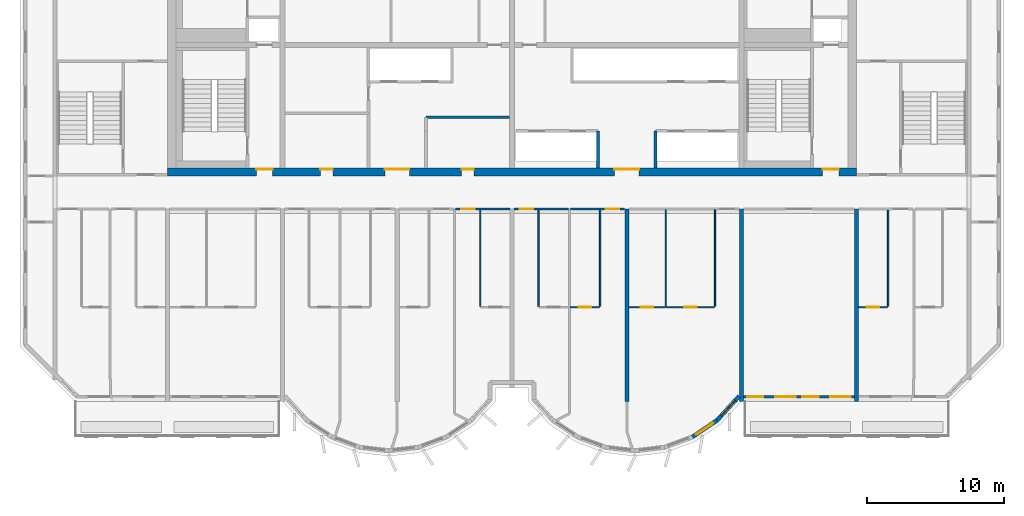
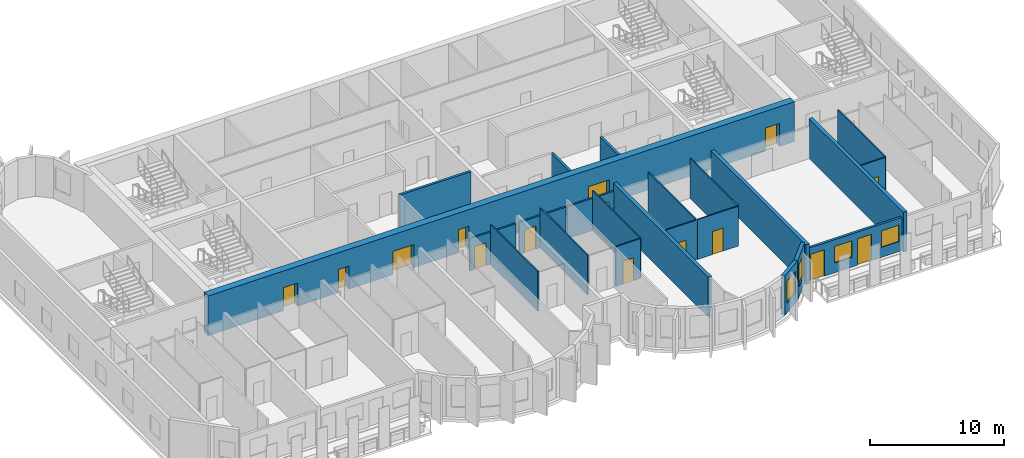
# One storey, part 5 of 11: 23 walls, 15 doors, 4 windows, 19 openings.
"""IFC4 building model written with IfcOpenShell, lengths in metres."""

from ifc_helpers import new_model, si_unit, direction, frame, frame_2d, origin, place, context, subcontext, project, spatial, rectangle, extrude, source, transform, mapped, material, layer, layer_set, type_object, element, fill, save


model = new_model("IFC4")

# Units and contexts
model_context = context("Model", 3, precision=1e-05, world=origin(), true_north=direction((0.0, 1.0)))
body_context = subcontext(model_context, "Body", "Model", "MODEL_VIEW")
ifc_project = project(units=[si_unit("LENGTHUNIT", "METRE"), si_unit("AREAUNIT", "SQUARE_METRE"), si_unit("VOLUMEUNIT", "CUBIC_METRE"), si_unit("PLANEANGLEUNIT", "RADIAN"), si_unit("MASSUNIT", "GRAM", prefix="KILO")], contexts=[model_context])

# Site, building, storey
site_placement = place(None, origin())
site = spatial("IfcSite", under=ifc_project, at=site_placement, CompositionType="ELEMENT")
building_placement = place(site_placement, origin())
building = spatial("IfcBuilding", under=site, at=building_placement, Name="Vanashikhar Sky Hotel", CompositionType="ELEMENT")
storey_placement = place(building_placement, frame((0.0, 0.0, 229.60009765625)))
storey = spatial("IfcBuildingStorey", under=building, at=storey_placement, Name="L55", CompositionType="ELEMENT", Elevation=229.60009765625)

# Wall, openings, doors
ifc_material_1 = material(Name="Concrete M60", Category="concrete")
ifc_layer_1 = layer(ifc_material_1, 0.60009765625)
ifc_layer_set_1 = layer_set([ifc_layer_1], Name="RC core shell wall 600 Concrete M60")
wall_type_1 = type_object("IfcWallType", Name="RC core shell wall 600 Concrete M60", PredefinedType="SHEAR", material=ifc_layer_set_1)
shared_shape_1 = source(origin(), body_context, "Body", "SweptSolid", [
    extrude(rectangle(XDim=50.400146484375, YDim=0.60009765625, at=frame_2d((25.2001953125, 0.0))), origin(), (0.0, 0.0, 1.0), 3.619873046875),
])
wall_1_placement = place(storey_placement, frame((25.199951171875, 22.300048828125, 0.0), z_axis=(0.0, 0.0, 1.0), x_axis=(1.0, 0.0, 0.0)))
wall_1 = element("IfcWall", 1, at=wall_1_placement, inside=storey, type_object=wall_type_1, Name="KW-L55-KS", PredefinedType="SHEAR", context=body_context, shape_type="MappedRepresentation", body=[
    mapped(shared_shape_1, transform((0.0, 0.0, 0.0), scale=1.0)),
])
shared_shape_2 = source(origin(), body_context, "Body", "SweptSolid", [
    extrude(rectangle(XDim=1.800048828125, YDim=2.10009765625, at=frame_2d((0.89990234375, 1.050048828125))), frame((0.0, 0.31005859375, 0.0), z_axis=(0.0, -1.0, 0.0), x_axis=(1.0, 0.0, 0.0)), (0.0, 0.0, 1.0), 0.6201171875),
])
opening_1_placement = place(wall_1_placement, frame((15.89990234375, 0.0, 0.0)))
opening_1 = element("IfcOpeningElement", 2, at=opening_1_placement, cuts=wall_1, Name="Opening DC-3-A", PredefinedType="OPENING", context=body_context, shape_type="MappedRepresentation", body=[
    mapped(shared_shape_2, transform((0.0, 0.0, 0.0), scale=1.0)),
])
shared_shape_3 = source(origin(), body_context, "Body", "SweptSolid", [
    extrude(rectangle(XDim=0.89990234375, YDim=2.10009765625, at=frame_2d((0.449951171875, 1.050048828125))), frame((0.0, 0.31005859375, 0.0), z_axis=(0.0, -1.0, 0.0), x_axis=(1.0, 0.0, 0.0)), (0.0, 0.0, 1.0), 0.6201171875),
])
opening_2_placement = place(wall_1_placement, frame((11.18701171875, 0.0, 0.0)))
opening_2 = element("IfcOpeningElement", 3, at=opening_2_placement, cuts=wall_1, Name="Opening DC-4-A", PredefinedType="OPENING", context=body_context, shape_type="MappedRepresentation", body=[
    mapped(shared_shape_3, transform((0.0, 0.0, 0.0), scale=1.0)),
])
opening_3_placement = place(wall_1_placement, frame((21.512939453125, 0.0, 0.0)))
opening_3 = element("IfcOpeningElement", 4, at=opening_3_placement, cuts=wall_1, Name="Opening DC-4-A", PredefinedType="OPENING", context=body_context, shape_type="MappedRepresentation", body=[
    mapped(shared_shape_3, transform((0.0, 0.0, 0.0), scale=1.0)),
])
opening_4_placement = place(wall_1_placement, frame((32.699951171875, 0.0, 0.0)))
opening_4 = element("IfcOpeningElement", 5, at=opening_4_placement, cuts=wall_1, Name="Opening DC-3-A", PredefinedType="OPENING", context=body_context, shape_type="MappedRepresentation", body=[
    mapped(shared_shape_2, transform((0.0, 0.0, 0.0), scale=1.0)),
])
shared_shape_4 = source(origin(), body_context, "Body", "SweptSolid", [
    extrude(rectangle(XDim=1.199951171875, YDim=2.10009765625, at=frame_2d((0.60009765625, 1.050048828125))), frame((0.0, 0.31005859375, 0.0), z_axis=(0.0, -1.0, 0.0), x_axis=(1.0, 0.0, 0.0)), (0.0, 0.0, 1.0), 0.6201171875),
])
opening_5_placement = place(wall_1_placement, frame((6.488037109375, 0.0, 0.0)))
opening_5 = element("IfcOpeningElement", 6, at=opening_5_placement, cuts=wall_1, Name="Opening DC-2", PredefinedType="OPENING", context=body_context, shape_type="MappedRepresentation", body=[
    mapped(shared_shape_4, transform((0.0, 0.0, 0.0), scale=1.0)),
])
opening_6_placement = place(wall_1_placement, frame((47.925048828125, 0.0, 0.0)))
opening_6 = element("IfcOpeningElement", 7, at=opening_6_placement, cuts=wall_1, Name="Opening DC-2", PredefinedType="OPENING", context=body_context, shape_type="MappedRepresentation", body=[
    mapped(shared_shape_4, transform((0.0, 0.0, 0.0), scale=1.0)),
])
ifc_material_2 = material(Name="Steel", Category="steel")
door_type_1 = type_object("IfcDoorType", Name="Firefighting lobby door 1200 FD120", OperationType="NOTDEFINED", PredefinedType="DOOR", material=ifc_material_2)
shared_shape_5 = source(origin(), body_context, "Body", "SweptSolid", [
    extrude(rectangle(XDim=1.199951171875, YDim=2.10009765625, at=frame_2d((0.60009765625, 1.050048828125))), frame((0.0, 0.22509765625, 0.0), z_axis=(0.0, -1.0, 0.0), x_axis=(1.0, 0.0, 0.0)), (0.0, 0.0, 1.0), 0.050048828125),
])
door_1_placement = place(opening_5_placement, origin())
door_1 = element("IfcDoor", 8, at=door_1_placement, inside=storey, type_object=door_type_1, Name="Firefighting lobby door 1200 FD120", OperationType="SINGLE_SWING_LEFT", OverallHeight=2.10009765625, OverallWidth=1.199951171875, PredefinedType="DOOR", context=body_context, shape_type="MappedRepresentation", body=[
    mapped(shared_shape_5, transform((0.0, 0.0, 0.0), scale=1.0)),
])
fill(opening_5, door_1)
door_2_placement = place(opening_6_placement, origin())
door_2 = element("IfcDoor", 9, at=door_2_placement, inside=storey, type_object=door_type_1, Name="Firefighting lobby door 1200 FD120", OperationType="SINGLE_SWING_LEFT", OverallHeight=2.10009765625, OverallWidth=1.199951171875, PredefinedType="DOOR", context=body_context, shape_type="MappedRepresentation", body=[
    mapped(shared_shape_5, transform((0.0, 0.0, 0.0), scale=1.0)),
])
fill(opening_6, door_2)
door_type_2 = type_object("IfcDoorType", Name="Service door 900 FD60", OperationType="NOTDEFINED", PredefinedType="DOOR", material=ifc_material_2)
shared_shape_6 = source(origin(), body_context, "Body", "SweptSolid", [
    extrude(rectangle(XDim=0.89990234375, YDim=2.10009765625, at=frame_2d((0.449951171875, 1.050048828125))), frame((0.0, 0.22509765625, 0.0), z_axis=(0.0, -1.0, 0.0), x_axis=(1.0, 0.0, 0.0)), (0.0, 0.0, 1.0), 0.050048828125),
])
door_3_placement = place(opening_2_placement, origin())
door_3 = element("IfcDoor", 10, at=door_3_placement, inside=storey, type_object=door_type_2, Name="Service door 900 FD60", OperationType="SINGLE_SWING_LEFT", OverallHeight=2.10009765625, OverallWidth=0.89990234375, PredefinedType="DOOR", context=body_context, shape_type="MappedRepresentation", body=[
    mapped(shared_shape_6, transform((0.0, 0.0, 0.0), scale=1.0)),
])
fill(opening_2, door_3)
door_4_placement = place(opening_3_placement, origin())
door_4 = element("IfcDoor", 11, at=door_4_placement, inside=storey, type_object=door_type_2, Name="Service door 900 FD60", OperationType="SINGLE_SWING_LEFT", OverallHeight=2.10009765625, OverallWidth=0.89990234375, PredefinedType="DOOR", context=body_context, shape_type="MappedRepresentation", body=[
    mapped(shared_shape_6, transform((0.0, 0.0, 0.0), scale=1.0)),
])
fill(opening_3, door_4)
ifc_material_3 = material(Name="Glass", Category="glass")
door_type_3 = type_object("IfcDoorType", Name="Lift lobby entrance door 1800 FD30S", OperationType="NOTDEFINED", PredefinedType="DOOR", material=ifc_material_3)
shared_shape_7 = source(origin(), body_context, "Body", "SweptSolid", [
    extrude(rectangle(XDim=1.800048828125, YDim=2.10009765625, at=frame_2d((0.89990234375, 1.050048828125))), frame((0.0, 0.22509765625, 0.0), z_axis=(0.0, -1.0, 0.0), x_axis=(1.0, 0.0, 0.0)), (0.0, 0.0, 1.0), 0.050048828125),
])
door_5_placement = place(opening_1_placement, origin())
door_5 = element("IfcDoor", 12, at=door_5_placement, inside=storey, type_object=door_type_3, Name="Lift lobby entrance door 1800 FD30S", OperationType="DOUBLE_DOOR_SINGLE_SWING", OverallHeight=2.10009765625, OverallWidth=1.800048828125, PredefinedType="DOOR", context=body_context, shape_type="MappedRepresentation", body=[
    mapped(shared_shape_7, transform((0.0, 0.0, 0.0), scale=1.0)),
])
fill(opening_1, door_5)
door_6_placement = place(opening_4_placement, origin())
door_6 = element("IfcDoor", 13, at=door_6_placement, inside=storey, type_object=door_type_3, Name="Lift lobby entrance door 1800 FD30S", OperationType="DOUBLE_DOOR_SINGLE_SWING", OverallHeight=2.10009765625, OverallWidth=1.800048828125, PredefinedType="DOOR", context=body_context, shape_type="MappedRepresentation", body=[
    mapped(shared_shape_7, transform((0.0, 0.0, 0.0), scale=1.0)),
])
fill(opening_4, door_6)

# Walls
ifc_layer_2 = layer(ifc_material_1, 0.300048828125)
ifc_layer_set_2 = layer_set([ifc_layer_2], Name="RC shear wall 300 Concrete M60")
wall_type_2 = type_object("IfcWallType", Name="RC shear wall 300 Concrete M60", PredefinedType="SHEAR", material=ifc_layer_set_2)
shared_shape_8 = source(origin(), body_context, "Body", "SweptSolid", [
    extrude(rectangle(XDim=14.10009765625, YDim=0.300048828125, at=frame_2d((7.050048828125, 0.0))), origin(), (0.0, 0.0, 1.0), 3.619873046875),
])
for number, where, z_axis, x_axis, name in (
    (14, (58.800048828125, 5.5, 0.0), (0.0, 0.0, 1.0), (0.0, 1.0, 0.0), "CW-L55-XW08-1"),
    (15, (67.199951171875, 5.5, 0.0), (0.0, 0.0, 1.0), (0.0, 1.0, 0.0), "CW-L55-XW09-1"),
    (16, (75.60009765625, 5.5, 0.0), (0.0, 0.0, 1.0), (0.0, 1.0, 0.0), "CW-L55-XW10-1"),
):
    element("IfcWall", number, at=place(storey_placement, frame(where, z_axis=z_axis, x_axis=x_axis)), inside=storey, type_object=wall_type_2, Name=name, PredefinedType="SHEAR", context=body_context, shape_type="MappedRepresentation", body=[
        mapped(shared_shape_8, transform((0.0, 0.0, 0.0), scale=1.0)),
    ])

# Wall, openings, windows, doors
ifc_material_4 = material(Name="Concrete M50", Category="concrete")
ifc_layer_3 = layer(ifc_material_4, 0.199951171875)
ifc_layer_set_3 = layer_set([ifc_layer_3], Name="Front window wall 200")
wall_type_3 = type_object("IfcWallType", Name="Front window wall 200", PredefinedType="SOLIDWALL", material=ifc_layer_set_3)
shared_shape_9 = source(origin(), body_context, "Body", "SweptSolid", [
    extrude(rectangle(XDim=8.099853515625, YDim=0.199951171875, at=frame_2d((4.0498046875, 0.0))), origin(), (0.0, 0.0, 1.0), 3.02001953125),
])
wall_2_placement = place(storey_placement, frame((67.35009765625, 5.85009765625, 0.0), z_axis=(0.0, 0.0, 1.0), x_axis=(1.0, 0.0, 0.0)))
wall_2 = element("IfcWall", 17, at=wall_2_placement, inside=storey, type_object=wall_type_3, Name="Front window wall", PredefinedType="SOLIDWALL", context=body_context, shape_type="MappedRepresentation", body=[
    mapped(shared_shape_9, transform((0.0, 0.0, 0.0), scale=1.0)),
])
shared_shape_10 = source(origin(), body_context, "Body", "SweptSolid", [
    extrude(rectangle(XDim=1.199951171875, YDim=2.39990234375, at=frame_2d((0.60009765625, 1.199951171875))), frame((0.0, 0.10986328125, 0.0), z_axis=(0.0, -1.0, 0.0), x_axis=(1.0, 0.0, 0.0)), (0.0, 0.0, 1.0), 0.219970703125),
])
opening_7_placement = place(wall_2_placement, frame((0.25, 0.0, 0.0)))
opening_7 = element("IfcOpeningElement", 18, at=opening_7_placement, cuts=wall_2, Name="Opening BD-03", PredefinedType="OPENING", context=body_context, shape_type="MappedRepresentation", body=[
    mapped(shared_shape_10, transform((0.0, 0.0, 0.0), scale=1.0)),
])
shared_shape_11 = source(origin(), body_context, "Body", "SweptSolid", [
    extrude(rectangle(XDim=1.5, YDim=1.5, at=frame_2d((0.75, 0.75))), frame((0.0, 0.10986328125, 0.0), z_axis=(0.0, -1.0, 0.0), x_axis=(1.0, 0.0, 0.0)), (0.0, 0.0, 1.0), 0.219970703125),
])
opening_8_placement = place(wall_2_placement, frame((2.300048828125, 0.0, 0.89990234375)))
opening_8 = element("IfcOpeningElement", 19, at=opening_8_placement, cuts=wall_2, Name="Opening WN-1", PredefinedType="OPENING", context=body_context, shape_type="MappedRepresentation", body=[
    mapped(shared_shape_11, transform((0.0, 0.0, 0.0), scale=1.0)),
])
opening_9_placement = place(wall_2_placement, frame((4.300048828125, 0.0, 0.0)))
opening_9 = element("IfcOpeningElement", 20, at=opening_9_placement, cuts=wall_2, Name="Opening BD-04", PredefinedType="OPENING", context=body_context, shape_type="MappedRepresentation", body=[
    mapped(shared_shape_10, transform((0.0, 0.0, 0.0), scale=1.0)),
])
opening_10_placement = place(wall_2_placement, frame((6.35009765625, 0.0, 0.89990234375)))
opening_10 = element("IfcOpeningElement", 21, at=opening_10_placement, cuts=wall_2, Name="Opening WN-1", PredefinedType="OPENING", context=body_context, shape_type="MappedRepresentation", body=[
    mapped(shared_shape_11, transform((0.0, 0.0, 0.0), scale=1.0)),
])
window_type_1 = type_object("IfcWindowType", Name="Window 1500 x 1500", PartitioningType="SINGLE_PANEL", PredefinedType="WINDOW", material=ifc_material_3)
shared_shape_12 = source(origin(), body_context, "Body", "SweptSolid", [
    extrude(rectangle(XDim=1.5, YDim=1.5, at=frame_2d((0.75, 0.75))), frame((0.0, 0.030029296875, 0.0), z_axis=(0.0, -1.0, 0.0), x_axis=(1.0, 0.0, 0.0)), (0.0, 0.0, 1.0), 0.06005859375),
])
window_1_placement = place(opening_8_placement, origin())
window_1 = element("IfcWindow", 22, at=window_1_placement, inside=storey, type_object=window_type_1, Name="Window WN-1", OverallHeight=1.5, OverallWidth=1.5, PartitioningType="SINGLE_PANEL", PredefinedType="WINDOW", context=body_context, shape_type="MappedRepresentation", body=[
    mapped(shared_shape_12, transform((0.0, 0.0, 0.0), scale=1.0)),
])
fill(opening_8, window_1)
window_2_placement = place(opening_10_placement, origin())
window_2 = element("IfcWindow", 23, at=window_2_placement, inside=storey, type_object=window_type_1, Name="Window WN-1", OverallHeight=1.5, OverallWidth=1.5, PartitioningType="SINGLE_PANEL", PredefinedType="WINDOW", context=body_context, shape_type="MappedRepresentation", body=[
    mapped(shared_shape_12, transform((0.0, 0.0, 0.0), scale=1.0)),
])
fill(opening_10, window_2)
ifc_material_5 = material(Name="Aluminium", Category="aluminium")
door_type_4 = type_object("IfcDoorType", Name="Balcony sliding door 1200 x 2400", OperationType="NOTDEFINED", PredefinedType="DOOR", material=ifc_material_5)
shared_shape_13 = source(origin(), body_context, "Body", "SweptSolid", [
    extrude(rectangle(XDim=1.199951171875, YDim=2.39990234375, at=frame_2d((0.60009765625, 1.199951171875))), frame((0.0, 0.02490234375, 0.0), z_axis=(0.0, -1.0, 0.0), x_axis=(1.0, 0.0, 0.0)), (0.0, 0.0, 1.0), 0.050048828125),
])
door_7_placement = place(opening_7_placement, origin())
door_7 = element("IfcDoor", 24, at=door_7_placement, inside=storey, type_object=door_type_4, Name="Balcony sliding door", OperationType="SLIDING_TO_LEFT", OverallHeight=2.39990234375, OverallWidth=1.199951171875, PredefinedType="DOOR", context=body_context, shape_type="MappedRepresentation", body=[
    mapped(shared_shape_13, transform((0.0, 0.0, 0.0), scale=1.0)),
])
fill(opening_7, door_7)
door_8_placement = place(opening_9_placement, origin())
door_8 = element("IfcDoor", 25, at=door_8_placement, inside=storey, type_object=door_type_4, Name="Balcony sliding door", OperationType="SLIDING_TO_RIGHT", OverallHeight=2.39990234375, OverallWidth=1.199951171875, PredefinedType="DOOR", context=body_context, shape_type="MappedRepresentation", body=[
    mapped(shared_shape_13, transform((0.0, 0.0, 0.0), scale=1.0)),
])
fill(opening_9, door_8)

# Wall, opening, window
ifc_layer_4 = layer(ifc_material_4, 0.300048828125)
ifc_layer_set_4 = layer_set([ifc_layer_4], Name="Lobe wall 300")
wall_type_4 = type_object("IfcWallType", Name="Lobe wall 300", PredefinedType="SOLIDWALL", material=ifc_layer_set_4)
shared_shape_14 = source(origin(), body_context, "Body", "SweptSolid", [
    extrude(rectangle(XDim=2.398193359375, YDim=0.300048828125, at=frame_2d((1.19921875, 0.0))), origin(), (0.0, 0.0, 1.0), 3.619873046875),
])
wall_3_placement = place(storey_placement, frame((65.404296875, 4.13134765625, 0.0), z_axis=(0.0, 0.0, 1.0), x_axis=(0.675374189419, 0.737475222815, 0.0)))
wall_3 = element("IfcWall", 26, at=wall_3_placement, inside=storey, type_object=wall_type_4, Name="Lobe wall", PredefinedType="SOLIDWALL", context=body_context, shape_type="MappedRepresentation", body=[
    mapped(shared_shape_14, transform((0.0, 0.0, 0.0), scale=1.0)),
])
shared_shape_15 = source(origin(), body_context, "Body", "SweptSolid", [
    extrude(rectangle(XDim=1.5, YDim=2.0, at=frame_2d((0.75, 1.0))), frame((0.0, 0.16015625, 0.0), z_axis=(0.0, -1.0, 0.0), x_axis=(1.0, 0.0, 0.0)), (0.0, 0.0, 1.0), 0.320068359375),
])
opening_11_placement = place(wall_3_placement, frame((0.44921875, 0.0, 0.89990234375)))
opening_11 = element("IfcOpeningElement", 27, at=opening_11_placement, cuts=wall_3, Name="Opening WN-2", PredefinedType="OPENING", context=body_context, shape_type="MappedRepresentation", body=[
    mapped(shared_shape_15, transform((0.0, 0.0, 0.0), scale=1.0)),
])
window_type_2 = type_object("IfcWindowType", Name="Lobe window 1500 x 2000", PartitioningType="SINGLE_PANEL", PredefinedType="WINDOW", material=ifc_material_3)
shared_shape_16 = source(origin(), body_context, "Body", "SweptSolid", [
    extrude(rectangle(XDim=1.5, YDim=2.0, at=frame_2d((0.75, 1.0))), frame((0.0, 0.030029296875, 0.0), z_axis=(0.0, -1.0, 0.0), x_axis=(1.0, 0.0, 0.0)), (0.0, 0.0, 1.0), 0.06005859375),
])
window_3_placement = place(opening_11_placement, origin())
window_3 = element("IfcWindow", 28, at=window_3_placement, inside=storey, type_object=window_type_2, Name="Window WN-2", OverallHeight=2.0, OverallWidth=1.5, PartitioningType="SINGLE_PANEL", PredefinedType="WINDOW", context=body_context, shape_type="MappedRepresentation", body=[
    mapped(shared_shape_16, transform((0.0, 0.0, 0.0), scale=1.0)),
])
fill(opening_11, window_3)

shared_shape_17 = source(origin(), body_context, "Body", "SweptSolid", [
    extrude(rectangle(XDim=2.17578125, YDim=0.300048828125, at=frame_2d((1.087890625, 0.0))), origin(), (0.0, 0.0, 1.0), 3.619873046875),
])
wall_4_placement = place(storey_placement, frame((63.59912109375, 2.91650390625, 0.0), z_axis=(0.0, 0.0, 1.0), x_axis=(0.829625727223, 0.558319937607, 0.0)))
wall_4 = element("IfcWall", 29, at=wall_4_placement, inside=storey, type_object=wall_type_4, Name="Lobe wall", PredefinedType="SOLIDWALL", context=body_context, shape_type="MappedRepresentation", body=[
    mapped(shared_shape_17, transform((0.0, 0.0, 0.0), scale=1.0)),
])
opening_12_placement = place(wall_4_placement, frame((0.337890625, 0.0, 0.89990234375)))
opening_12 = element("IfcOpeningElement", 30, at=opening_12_placement, cuts=wall_4, Name="Opening WN-2", PredefinedType="OPENING", context=body_context, shape_type="MappedRepresentation", body=[
    mapped(shared_shape_15, transform((0.0, 0.0, 0.0), scale=1.0)),
])
window_4_placement = place(opening_12_placement, origin())
window_4 = element("IfcWindow", 31, at=window_4_placement, inside=storey, type_object=window_type_2, Name="Window WN-2", OverallHeight=2.0, OverallWidth=1.5, PartitioningType="SINGLE_PANEL", PredefinedType="WINDOW", context=body_context, shape_type="MappedRepresentation", body=[
    mapped(shared_shape_16, transform((0.0, 0.0, 0.0), scale=1.0)),
])
fill(opening_12, window_4)

# Walls
ifc_material_6 = material(Name="Concrete M40", Category="concrete")
ifc_layer_5 = layer(ifc_material_6, 0.199951171875)
ifc_layer_set_5 = layer_set([ifc_layer_5], Name="Shaft wall 200")
wall_type_5 = type_object("IfcWallType", Name="Shaft wall 200", PredefinedType="SOLIDWALL", material=ifc_layer_set_5)
shared_shape_18 = source(origin(), body_context, "Body", "SweptSolid", [
    extrude(rectangle(XDim=2.699951171875, YDim=0.199951171875, at=frame_2d((1.35009765625, 0.0))), origin(), (0.0, 0.0, 1.0), 3.619873046875),
])
for number, where, z_axis, x_axis, name in (
    (32, (60.89990234375, 22.60009765625, 0.0), (0.0, 0.0, 1.0), (0.0, 1.0, 0.0), "Shaft wall 200"),
    (33, (56.699951171875, 22.60009765625, 0.0), (0.0, 0.0, 1.0), (0.0, 1.0, 0.0), "Shaft wall 200"),
):
    element("IfcWall", number, at=place(storey_placement, frame(where, z_axis=z_axis, x_axis=x_axis)), inside=storey, type_object=wall_type_5, Name=name, PredefinedType="SOLIDWALL", context=body_context, shape_type="MappedRepresentation", body=[
        mapped(shared_shape_18, transform((0.0, 0.0, 0.0), scale=1.0)),
    ])
ifc_material_7 = material(Name="Gypsum board partition")
ifc_layer_6 = layer(ifc_material_7, 0.14990234375)
ifc_layer_set_6 = layer_set([ifc_layer_6], Name="Service partition 150")
wall_type_6 = type_object("IfcWallType", Name="Service partition 150", PredefinedType="PARTITIONING", material=ifc_layer_set_6)
shared_shape_19 = source(origin(), body_context, "Body", "SweptSolid", [
    extrude(rectangle(XDim=6.125, YDim=0.199951171875, at=frame_2d((3.0625, 0.0))), origin(), (0.0, 0.0, 1.0), 3.619873046875),
])
wall_5_placement = place(storey_placement, frame((44.10009765625, 26.300048828125, 0.0), z_axis=(0.0, 0.0, 1.0), x_axis=(1.0, 0.0, 0.0)))
element("IfcWall", 34, at=wall_5_placement, inside=storey, type_object=wall_type_6, Name="Service partition 150", PredefinedType="PARTITIONING", context=body_context, shape_type="MappedRepresentation", body=[
    mapped(shared_shape_19, transform((0.0, 0.0, 0.0), scale=1.0)),
])

# Wall, opening, door
ifc_material_8 = material(Name="Gypsum plasterboard partition")
ifc_layer_7 = layer(ifc_material_8, 0.14990234375)
ifc_layer_set_7 = layer_set([ifc_layer_7], Name="Corridor and demising partition 150")
wall_type_7 = type_object("IfcWallType", Name="Corridor and demising partition 150", PredefinedType="PARTITIONING", material=ifc_layer_set_7)
shared_shape_20 = source(origin(), body_context, "Body", "SweptSolid", [
    extrude(rectangle(XDim=3.97509765625, YDim=0.14990234375, at=frame_2d((1.987548828125, 0.0))), origin(), (0.0, 0.0, 1.0), 2.919921875),
])
wall_6_placement = place(storey_placement, frame((46.27490234375, 19.60009765625, 0.0), z_axis=(0.0, 0.0, 1.0), x_axis=(1.0, 0.0, 0.0)))
wall_6 = element("IfcWall", 35, at=wall_6_placement, inside=storey, type_object=wall_type_7, Name="W-L55-PW025", PredefinedType="PARTITIONING", context=body_context, shape_type="MappedRepresentation", body=[
    mapped(shared_shape_20, transform((0.0, 0.0, 0.0), scale=1.0)),
])
shared_shape_21 = source(origin(), body_context, "Body", "SweptSolid", [
    extrude(rectangle(XDim=1.0, YDim=2.10009765625, at=frame_2d((0.5, 1.050048828125))), frame((0.0, 0.0849609375, 0.0), z_axis=(0.0, -1.0, 0.0), x_axis=(1.0, 0.0, 0.0)), (0.0, 0.0, 1.0), 0.169921875),
])
opening_13_placement = place(wall_6_placement, frame((0.39990234375, 0.0, 0.0)))
opening_13 = element("IfcOpeningElement", 36, at=opening_13_placement, cuts=wall_6, Name="Opening D-01", PredefinedType="OPENING", context=body_context, shape_type="MappedRepresentation", body=[
    mapped(shared_shape_21, transform((0.0, 0.0, 0.0), scale=1.0)),
])
ifc_material_9 = material(Name="Timber fire door", Category="wood")
door_type_5 = type_object("IfcDoorType", Name="Guest entry door 1000 FD30S", OperationType="NOTDEFINED", PredefinedType="DOOR", material=ifc_material_9)
shared_shape_22 = source(origin(), body_context, "Body", "SweptSolid", [
    extrude(rectangle(XDim=1.0, YDim=2.10009765625, at=frame_2d((0.5, 1.050048828125))), frame((0.0, 0.02490234375, 0.0), z_axis=(0.0, -1.0, 0.0), x_axis=(1.0, 0.0, 0.0)), (0.0, 0.0, 1.0), 0.050048828125),
])
door_9_placement = place(opening_13_placement, origin())
door_9 = element("IfcDoor", 37, at=door_9_placement, inside=storey, type_object=door_type_5, Name="D-L55-015", OperationType="SINGLE_SWING_LEFT", OverallHeight=2.10009765625, OverallWidth=1.0, PredefinedType="DOOR", context=body_context, shape_type="MappedRepresentation", body=[
    mapped(shared_shape_22, transform((0.0, 0.0, 0.0), scale=1.0)),
])
fill(opening_13, door_9)

shared_shape_23 = source(origin(), body_context, "Body", "SweptSolid", [
    extrude(rectangle(XDim=3.974853515625, YDim=0.14990234375, at=frame_2d((1.9873046875, 0.0))), origin(), (0.0, 0.0, 1.0), 2.919921875),
])
wall_7_placement = place(storey_placement, frame((50.550048828125, 19.60009765625, 0.0), z_axis=(0.0, 0.0, 1.0), x_axis=(1.0, 0.0, 0.0)))
wall_7 = element("IfcWall", 38, at=wall_7_placement, inside=storey, type_object=wall_type_7, Name="W-L55-PW029", PredefinedType="PARTITIONING", context=body_context, shape_type="MappedRepresentation", body=[
    mapped(shared_shape_23, transform((0.0, 0.0, 0.0), scale=1.0)),
])
opening_14_placement = place(wall_7_placement, frame((0.39990234375, 0.0, 0.0)))
opening_14 = element("IfcOpeningElement", 39, at=opening_14_placement, cuts=wall_7, Name="Opening D-01", PredefinedType="OPENING", context=body_context, shape_type="MappedRepresentation", body=[
    mapped(shared_shape_21, transform((0.0, 0.0, 0.0), scale=1.0)),
])
door_10_placement = place(opening_14_placement, origin())
door_10 = element("IfcDoor", 40, at=door_10_placement, inside=storey, type_object=door_type_5, Name="D-L55-017", OperationType="SINGLE_SWING_LEFT", OverallHeight=2.10009765625, OverallWidth=1.0, PredefinedType="DOOR", context=body_context, shape_type="MappedRepresentation", body=[
    mapped(shared_shape_22, transform((0.0, 0.0, 0.0), scale=1.0)),
])
fill(opening_14, door_10)

wall_8_placement = place(storey_placement, frame((54.675048828125, 19.60009765625, 0.0), z_axis=(0.0, 0.0, 1.0), x_axis=(1.0, 0.0, 0.0)))
wall_8 = element("IfcWall", 41, at=wall_8_placement, inside=storey, type_object=wall_type_7, Name="W-L55-PW032", PredefinedType="PARTITIONING", context=body_context, shape_type="MappedRepresentation", body=[
    mapped(shared_shape_23, transform((0.0, 0.0, 0.0), scale=1.0)),
])
opening_15_placement = place(wall_8_placement, frame((2.574951171875, 0.0, 0.0)))
opening_15 = element("IfcOpeningElement", 42, at=opening_15_placement, cuts=wall_8, Name="Opening D-01", PredefinedType="OPENING", context=body_context, shape_type="MappedRepresentation", body=[
    mapped(shared_shape_21, transform((0.0, 0.0, 0.0), scale=1.0)),
])
door_11_placement = place(opening_15_placement, origin())
door_11 = element("IfcDoor", 43, at=door_11_placement, inside=storey, type_object=door_type_5, Name="D-L55-019", OperationType="SINGLE_SWING_RIGHT", OverallHeight=2.10009765625, OverallWidth=1.0, PredefinedType="DOOR", context=body_context, shape_type="MappedRepresentation", body=[
    mapped(shared_shape_22, transform((0.0, 0.0, 0.0), scale=1.0)),
])
fill(opening_15, door_11)

# Walls
ifc_layer_8 = layer(ifc_material_8, 0.10009765625)
ifc_layer_set_8 = layer_set([ifc_layer_8], Name="Wet room partition 100")
wall_type_8 = type_object("IfcWallType", Name="Wet room partition 100", PredefinedType="PARTITIONING", material=ifc_layer_set_8)
shared_shape_24 = source(origin(), body_context, "Body", "SweptSolid", [
    extrude(rectangle(XDim=7.0498046875, YDim=0.10009765625, at=frame_2d((3.52490234375, 0.0))), origin(), (0.0, 0.0, 1.0), 3.619873046875),
])
for number, where, z_axis, x_axis, name in (
    (44, (48.074951171875, 12.47509765625, 0.0), (0.0, 0.0, 1.0), (0.0, 1.0, 0.0), "W-L55-PW023"),
    (45, (52.35009765625, 12.47509765625, 0.0), (0.0, 0.0, 1.0), (0.0, 1.0, 0.0), "W-L55-PW027"),
    (46, (56.85009765625, 12.47509765625, 0.0), (0.0, 0.0, 1.0), (0.0, 1.0, 0.0), "W-L55-PW030"),
    (47, (65.25, 12.47509765625, 0.0), (0.0, 0.0, 1.0), (0.0, 1.0, 0.0), "W-L55-PW034"),
    (48, (61.64990234375, 12.47509765625, 0.0), (0.0, 0.0, 1.0), (0.0, 1.0, 0.0), "W-L55-PW035"),
    (49, (77.925048828125, 12.47509765625, 0.0), (0.0, 0.0, 1.0), (0.0, 1.0, 0.0), "W-L55-PW040"),
):
    element("IfcWall", number, at=place(storey_placement, frame(where, z_axis=z_axis, x_axis=x_axis)), inside=storey, type_object=wall_type_8, Name=name, PredefinedType="PARTITIONING", context=body_context, shape_type="MappedRepresentation", body=[
        mapped(shared_shape_24, transform((0.0, 0.0, 0.0), scale=1.0)),
    ])

# Wall, opening, door
shared_shape_25 = source(origin(), body_context, "Body", "SweptSolid", [
    extrude(rectangle(XDim=2.125, YDim=0.10009765625, at=frame_2d((1.0625, 0.0))), origin(), (0.0, 0.0, 1.0), 3.619873046875),
])
wall_9_placement = place(storey_placement, frame((54.675048828125, 12.39990234375, 0.0), z_axis=(0.0, 0.0, 1.0), x_axis=(1.0, 0.0, 0.0)))
wall_9 = element("IfcWall", 50, at=wall_9_placement, inside=storey, type_object=wall_type_8, Name="W-L55-PW031", PredefinedType="PARTITIONING", context=body_context, shape_type="MappedRepresentation", body=[
    mapped(shared_shape_25, transform((0.0, 0.0, 0.0), scale=1.0)),
])
shared_shape_26 = source(origin(), body_context, "Body", "SweptSolid", [
    extrude(rectangle(XDim=0.89990234375, YDim=2.10009765625, at=frame_2d((0.449951171875, 1.050048828125))), frame((0.0, 0.06005859375, 0.0), z_axis=(0.0, -1.0, 0.0), x_axis=(1.0, 0.0, 0.0)), (0.0, 0.0, 1.0), 0.1201171875),
])
opening_16_placement = place(wall_9_placement, frame((0.613037109375, 0.0, 0.0)))
opening_16 = element("IfcOpeningElement", 51, at=opening_16_placement, cuts=wall_9, Name="Opening D-02", PredefinedType="OPENING", context=body_context, shape_type="MappedRepresentation", body=[
    mapped(shared_shape_26, transform((0.0, 0.0, 0.0), scale=1.0)),
])
ifc_material_10 = material(Name="Timber door", Category="wood")
door_type_6 = type_object("IfcDoorType", Name="Internal door 900", OperationType="NOTDEFINED", PredefinedType="DOOR", material=ifc_material_10)
shared_shape_27 = source(origin(), body_context, "Body", "SweptSolid", [
    extrude(rectangle(XDim=0.89990234375, YDim=2.10009765625, at=frame_2d((0.449951171875, 1.050048828125))), frame((0.0, 0.02490234375, 0.0), z_axis=(0.0, -1.0, 0.0), x_axis=(1.0, 0.0, 0.0)), (0.0, 0.0, 1.0), 0.050048828125),
])
door_12_placement = place(opening_16_placement, origin())
door_12 = element("IfcDoor", 52, at=door_12_placement, inside=storey, type_object=door_type_6, Name="D-L55-018", OperationType="SINGLE_SWING_RIGHT", OverallHeight=2.10009765625, OverallWidth=0.89990234375, PredefinedType="DOOR", context=body_context, shape_type="MappedRepresentation", body=[
    mapped(shared_shape_27, transform((0.0, 0.0, 0.0), scale=1.0)),
])
fill(opening_16, door_12)

wall_10_placement = place(storey_placement, frame((75.75, 12.39990234375, 0.0), z_axis=(0.0, 0.0, 1.0), x_axis=(1.0, 0.0, 0.0)))
wall_10 = element("IfcWall", 53, at=wall_10_placement, inside=storey, type_object=wall_type_8, Name="W-L55-PW041", PredefinedType="PARTITIONING", context=body_context, shape_type="MappedRepresentation", body=[
    mapped(shared_shape_25, transform((0.0, 0.0, 0.0), scale=1.0)),
])
opening_17_placement = place(wall_10_placement, frame((0.612060546875, 0.0, 0.0)))
opening_17 = element("IfcOpeningElement", 54, at=opening_17_placement, cuts=wall_10, Name="Opening D-02", PredefinedType="OPENING", context=body_context, shape_type="MappedRepresentation", body=[
    mapped(shared_shape_26, transform((0.0, 0.0, 0.0), scale=1.0)),
])
door_13_placement = place(opening_17_placement, origin())
door_13 = element("IfcDoor", 55, at=door_13_placement, inside=storey, type_object=door_type_6, Name="D-L55-024", OperationType="SINGLE_SWING_RIGHT", OverallHeight=2.10009765625, OverallWidth=0.89990234375, PredefinedType="DOOR", context=body_context, shape_type="MappedRepresentation", body=[
    mapped(shared_shape_27, transform((0.0, 0.0, 0.0), scale=1.0)),
])
fill(opening_17, door_13)

shared_shape_28 = source(origin(), body_context, "Body", "SweptSolid", [
    extrude(rectangle(XDim=3.5, YDim=0.10009765625, at=frame_2d((1.75, 0.0))), origin(), (0.0, 0.0, 1.0), 3.619873046875),
])
wall_11_placement = place(storey_placement, frame((61.699951171875, 12.39990234375, 0.0), z_axis=(0.0, 0.0, 1.0), x_axis=(1.0, 0.0, 0.0)))
wall_11 = element("IfcWall", 56, at=wall_11_placement, inside=storey, type_object=wall_type_8, Name="W-L55-PW036", PredefinedType="PARTITIONING", context=body_context, shape_type="MappedRepresentation", body=[
    mapped(shared_shape_28, transform((0.0, 0.0, 0.0), scale=1.0)),
])
opening_18_placement = place(wall_11_placement, frame((1.300048828125, 0.0, 0.0)))
opening_18 = element("IfcOpeningElement", 57, at=opening_18_placement, cuts=wall_11, Name="Opening D-02", PredefinedType="OPENING", context=body_context, shape_type="MappedRepresentation", body=[
    mapped(shared_shape_26, transform((0.0, 0.0, 0.0), scale=1.0)),
])
door_14_placement = place(opening_18_placement, origin())
door_14 = element("IfcDoor", 58, at=door_14_placement, inside=storey, type_object=door_type_6, Name="D-L55-020", OperationType="SINGLE_SWING_RIGHT", OverallHeight=2.10009765625, OverallWidth=0.89990234375, PredefinedType="DOOR", context=body_context, shape_type="MappedRepresentation", body=[
    mapped(shared_shape_27, transform((0.0, 0.0, 0.0), scale=1.0)),
])
fill(opening_18, door_14)

shared_shape_29 = source(origin(), body_context, "Body", "SweptSolid", [
    extrude(rectangle(XDim=2.650146484375, YDim=0.10009765625, at=frame_2d((1.3251953125, 0.0))), origin(), (0.0, 0.0, 1.0), 3.619873046875),
])
wall_12_placement = place(storey_placement, frame((58.949951171875, 12.39990234375, 0.0), z_axis=(0.0, 0.0, 1.0), x_axis=(1.0, 0.0, 0.0)))
wall_12 = element("IfcWall", 59, at=wall_12_placement, inside=storey, type_object=wall_type_8, Name="W-L55-PW037", PredefinedType="PARTITIONING", context=body_context, shape_type="MappedRepresentation", body=[
    mapped(shared_shape_29, transform((0.0, 0.0, 0.0), scale=1.0)),
])
opening_19_placement = place(wall_12_placement, frame((0.875, 0.0, 0.0)))
opening_19 = element("IfcOpeningElement", 60, at=opening_19_placement, cuts=wall_12, Name="Opening D-02", PredefinedType="OPENING", context=body_context, shape_type="MappedRepresentation", body=[
    mapped(shared_shape_26, transform((0.0, 0.0, 0.0), scale=1.0)),
])
door_15_placement = place(opening_19_placement, origin())
door_15 = element("IfcDoor", 61, at=door_15_placement, inside=storey, type_object=door_type_6, Name="D-L55-021", OperationType="SINGLE_SWING_RIGHT", OverallHeight=2.10009765625, OverallWidth=0.89990234375, PredefinedType="DOOR", context=body_context, shape_type="MappedRepresentation", body=[
    mapped(shared_shape_27, transform((0.0, 0.0, 0.0), scale=1.0)),
])
fill(opening_19, door_15)

save(model, "model.ifc")
